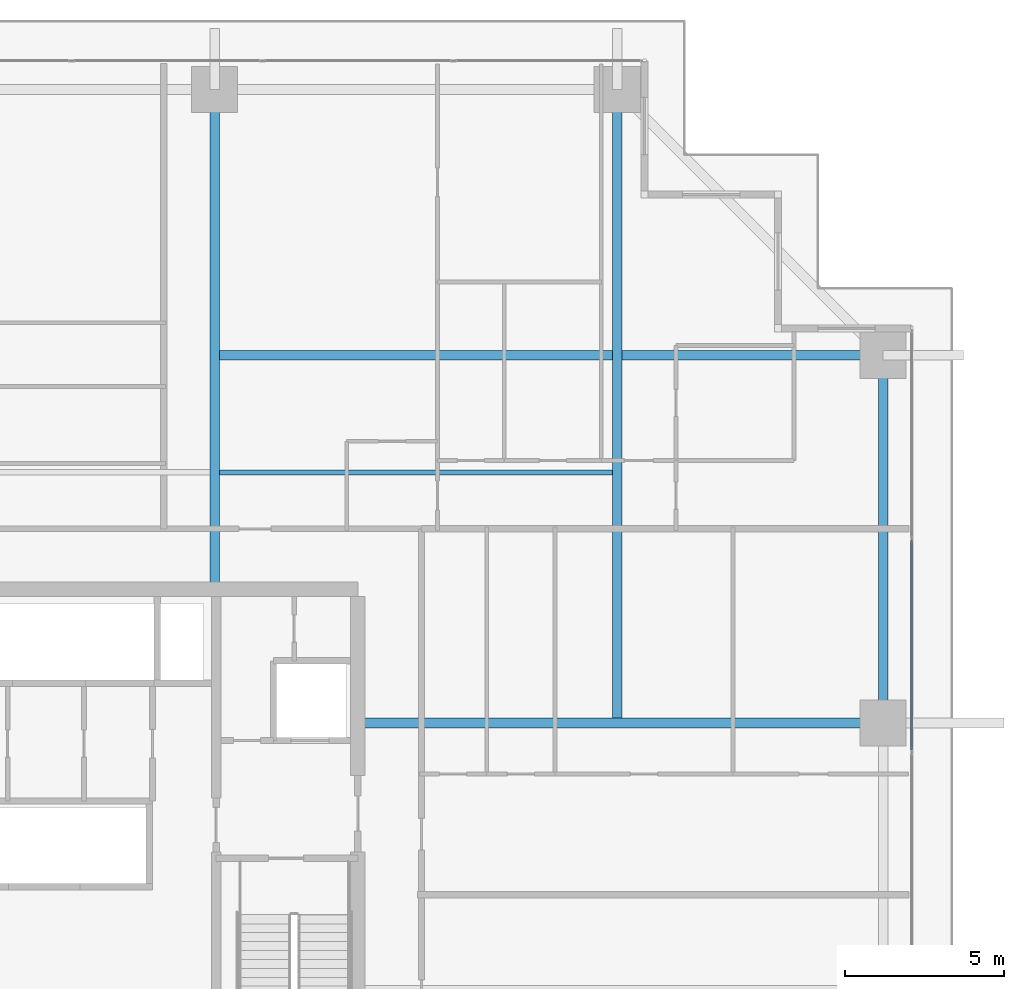
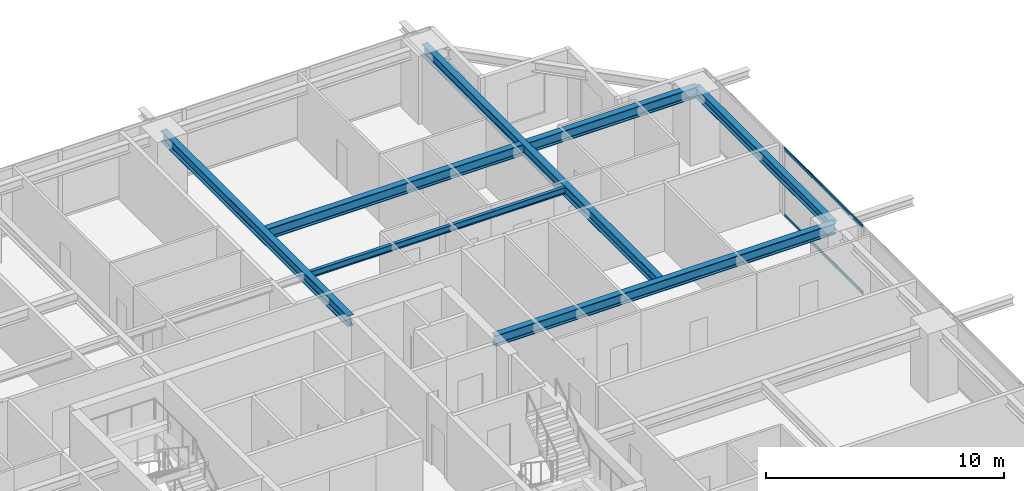
# One storey, part 21 of 39: 6 beams, 2 members, 1 element without a shape of its own.
"""IFC4 building model written with IfcOpenShell, lengths in metres."""

from ifc_helpers import new_model, si_unit, direction, frame, origin, origin_2d, place, context, subcontext, project, spatial, hollow_rectangle, i_section, extrude, source, transform, mapped, material, layer, layer_set, material_profile, profile_set, type_object, element, aggregate, save


model = new_model("IFC4")

# Units and contexts
model_context = context("Model", 3, precision=1e-05, world=origin(), true_north=direction((0.0, 1.0)))
body_context = subcontext(model_context, "Body", "Model", "MODEL_VIEW")
ifc_project = project(units=[si_unit("LENGTHUNIT", "METRE"), si_unit("AREAUNIT", "SQUARE_METRE"), si_unit("VOLUMEUNIT", "CUBIC_METRE"), si_unit("PLANEANGLEUNIT", "RADIAN"), si_unit("MASSUNIT", "GRAM", prefix="KILO")], contexts=[model_context])

# Site, building, storey
site_placement = place(None, origin())
site = spatial("IfcSite", under=ifc_project, at=site_placement, CompositionType="ELEMENT")
building_placement = place(site_placement, origin())
building = spatial("IfcBuilding", under=site, at=building_placement, Name="Serunith Strait Residences", CompositionType="ELEMENT")
storey_placement = place(building_placement, frame((0.0, 0.0, 60.449951171875)))
storey = spatial("IfcBuildingStorey", under=building, at=storey_placement, Name="L14", CompositionType="ELEMENT", Elevation=60.449951171875)

# Beams
ifc_material_1 = material(Name="Steel S355J2", Category="steel")
ifc_material_profile_1 = material_profile(ifc_material_1, i_section(OverallWidth=0.300048828125, OverallDepth=0.550048828125, WebThickness=0.014892578125, FlangeThickness=0.029052734375, FilletRadius=0.027099609375, at=origin_2d()), Name="HEB 550")
ifc_profile_set_1 = profile_set([ifc_material_profile_1], Name="Steel S355J2")
beam_type_1 = type_object("IfcBeamType", Name="BM-HEB550", PredefinedType="BEAM", material=ifc_profile_set_1)
shared_shape_1 = source(origin(), body_context, "Body", "SweptSolid", [
    extrude(i_section(OverallWidth=0.300048828125, OverallDepth=0.550048828125, WebThickness=0.014892578125, FlangeThickness=0.029052734375, FilletRadius=0.027099609375, at=origin_2d()), origin(), (0.0, 0.0, 1.0), 15.699951171875),
])
beam_1_placement = place(storey_placement, frame((36.89990234375, 33.60009765625, 3.212158203125), z_axis=(0.0, 1.0, 0.0), x_axis=(-1.0, 0.0, 0.0)))
element("IfcBeam", 1, at=beam_1_placement, inside=storey, type_object=beam_type_1, Name="L14 Primary Floor Girder TC-N3", PredefinedType="BEAM", context=body_context, shape_type="MappedRepresentation", body=[
    mapped(shared_shape_1, transform((0.0, 0.0, 0.0), scale=1.0)),
])
shared_shape_2 = source(origin(), body_context, "Body", "SweptSolid", [
    extrude(i_section(OverallWidth=0.300048828125, OverallDepth=0.550048828125, WebThickness=0.014892578125, FlangeThickness=0.029052734375, FilletRadius=0.027099609375, at=origin_2d()), origin(), (0.0, 0.0, 1.0), 16.5),
])
beam_2_placement = place(storey_placement, frame((41.39990234375, 29.39990234375, 3.212158203125), z_axis=(1.0, 0.0, 0.0), x_axis=(0.0, 1.0, 0.0)))
element("IfcBeam", 2, at=beam_2_placement, inside=storey, type_object=beam_type_1, Name="L14 Primary Floor Girder TC-E3", PredefinedType="BEAM", context=body_context, shape_type="MappedRepresentation", body=[
    mapped(shared_shape_2, transform((0.0, 0.0, 0.0), scale=1.0)),
])
shared_shape_3 = source(origin(), body_context, "Body", "SweptSolid", [
    extrude(i_section(OverallWidth=0.300048828125, OverallDepth=0.550048828125, WebThickness=0.014892578125, FlangeThickness=0.029052734375, FilletRadius=0.027099609375, at=origin_2d()), origin(), (0.0, 0.0, 1.0), 19.900146484375),
])
beam_3_placement = place(storey_placement, frame((49.550048828125, 29.39990234375, 3.212158203125), z_axis=(0.0, 1.0, 0.0), x_axis=(-1.0, 0.0, 0.0)))
element("IfcBeam", 3, at=beam_3_placement, inside=storey, type_object=beam_type_1, Name="L14 Orthogonal Corner Girder TC-N4", PredefinedType="BEAM", context=body_context, shape_type="MappedRepresentation", body=[
    mapped(shared_shape_3, transform((0.0, 0.0, 0.0), scale=1.0)),
])
shared_shape_4 = source(origin(), body_context, "Body", "SweptSolid", [
    extrude(i_section(OverallWidth=0.300048828125, OverallDepth=0.550048828125, WebThickness=0.014892578125, FlangeThickness=0.029052734375, FilletRadius=0.027099609375, at=origin_2d()), origin(), (0.0, 0.0, 1.0), 21.0),
])
beam_4_placement = place(storey_placement, frame((36.89990234375, 40.949951171875, 3.212158203125), z_axis=(1.0, 0.0, 0.0), x_axis=(0.0, 1.0, 0.0)))
element("IfcBeam", 4, at=beam_4_placement, inside=storey, type_object=beam_type_1, Name="L14 Orthogonal Corner Girder TC-E4", PredefinedType="BEAM", context=body_context, shape_type="MappedRepresentation", body=[
    mapped(shared_shape_4, transform((0.0, 0.0, 0.0), scale=1.0)),
])
ifc_material_profile_2 = material_profile(ifc_material_1, i_section(OverallWidth=0.300048828125, OverallDepth=0.5, WebThickness=0.014404296875, FlangeThickness=0.028076171875, FilletRadius=0.027099609375, at=origin_2d()), Name="HEB 500")
ifc_profile_set_2 = profile_set([ifc_material_profile_2], Name="Steel S355J2")
beam_type_2 = type_object("IfcBeamType", Name="BM-HEB500", PredefinedType="BEAM", material=ifc_profile_set_2)
shared_shape_5 = source(origin(), body_context, "Body", "SweptSolid", [
    extrude(i_section(OverallWidth=0.300048828125, OverallDepth=0.5, WebThickness=0.014404296875, FlangeThickness=0.028076171875, FilletRadius=0.027099609375, at=origin_2d()), origin(), (0.0, 0.0, 1.0), 11.550048828125),
])
beam_5_placement = place(storey_placement, frame((57.89990234375, 29.39990234375, 3.237060546875), z_axis=(0.0, 1.0, 0.0), x_axis=(-1.0, 0.0, 0.0)))
element("IfcBeam", 5, at=beam_5_placement, inside=storey, type_object=beam_type_2, Name="L14 Perimeter Ring Beam 07", PredefinedType="BEAM", context=body_context, shape_type="MappedRepresentation", body=[
    mapped(shared_shape_5, transform((0.0, 0.0, 0.0), scale=1.0)),
])
ifc_material_profile_3 = material_profile(ifc_material_1, i_section(OverallWidth=0.159912109375, OverallDepth=0.330078125, WebThickness=0.007568359375, FlangeThickness=0.011474609375, FilletRadius=0.01806640625, at=origin_2d()), Name="IPE 330")
ifc_profile_set_3 = profile_set([ifc_material_profile_3], Name="Steel S355J2")
beam_type_3 = type_object("IfcBeamType", Name="BM-IPE330", PredefinedType="JOIST", material=ifc_profile_set_3)
shared_shape_6 = source(origin(), body_context, "Body", "SweptSolid", [
    extrude(i_section(OverallWidth=0.159912109375, OverallDepth=0.330078125, WebThickness=0.007568359375, FlangeThickness=0.011474609375, FilletRadius=0.01806640625, at=origin_2d()), origin(), (0.0, 0.0, 1.0), 12.349853515625),
])
beam_6_placement = place(storey_placement, frame((37.050048828125, 37.27490234375, 3.322021484375), z_axis=(1.0, 0.0, 0.0), x_axis=(0.0, 1.0, 0.0)))
element("IfcBeam", 6, at=beam_6_placement, inside=storey, type_object=beam_type_3, Name="L14 Composite Floor Joist 06", PredefinedType="JOIST", context=body_context, shape_type="MappedRepresentation", body=[
    mapped(shared_shape_6, transform((0.0, 0.0, 0.0), scale=1.0)),
])

# Curtain wall, members
ifc_material_2 = material(Name="Pale-Champagne Anodised Aluminium", Category="aluminium")
ifc_layer = layer(ifc_material_2, 0.199951171875, Name="Pale-Champagne Anodised Aluminium")
ifc_layer_set = layer_set([ifc_layer], Name="Pale-Champagne Anodised Aluminium")
curtain_wall_type = type_object("IfcCurtainWallType", Name="CW-SYS1", PredefinedType="NOTDEFINED", material=ifc_layer_set)
curtain_wall_placement = place(storey_placement, origin())
curtain_wall = element("IfcCurtainWall", 7, at=curtain_wall_placement, inside=storey, type_object=curtain_wall_type, Name="L14 E Unitised Fritted Curtain Wall", PredefinedType="NOTDEFINED")
ifc_material_profile_4 = material_profile(ifc_material_2, hollow_rectangle(XDim=0.06005859375, YDim=0.159912109375, WallThickness=0.00341796875, InnerFilletRadius=0.00537109375, OuterFilletRadius=0.0087890625, at=origin_2d()), Name="ALU 160x60x3.5")
ifc_profile_set_4 = profile_set([ifc_material_profile_4], Name="Pale-Champagne Anodised Aluminium")
member_type = type_object("IfcMemberType", Name="CW-SYS1-TRAN", PredefinedType="USERDEFINED", material=ifc_profile_set_4)
shared_shape_7 = source(origin(), body_context, "Body", "SweptSolid", [
    extrude(hollow_rectangle(XDim=0.06005859375, YDim=0.159912109375, WallThickness=0.00341796875, InnerFilletRadius=0.00537109375, OuterFilletRadius=0.0087890625, at=origin_2d()), origin(), (0.0, 0.0, 1.0), 6.570068359375),
])
member_1_placement = place(storey_placement, frame((58.800048828125, 28.554931640625, 0.030029296875), z_axis=(0.0, 1.0, 0.0), x_axis=(-1.0, 0.0, 0.0)))
member_1 = element("IfcMember", 8, at=member_1_placement, type_object=member_type, Name="CW-1 transom 4.1", ObjectType="TRANSOM", PredefinedType="USERDEFINED", context=body_context, shape_type="MappedRepresentation", body=[
    mapped(shared_shape_7, transform((0.0, 0.0, 0.0), scale=1.0)),
])
member_2_placement = place(storey_placement, frame((58.800048828125, 28.554931640625, 3.445068359375), z_axis=(0.0, 1.0, 0.0), x_axis=(-1.0, 0.0, 0.0)))
member_2 = element("IfcMember", 9, at=member_2_placement, type_object=member_type, Name="CW-1 transom 4.2", ObjectType="TRANSOM", PredefinedType="USERDEFINED", context=body_context, shape_type="MappedRepresentation", body=[
    mapped(shared_shape_7, transform((0.0, 0.0, 0.0), scale=1.0)),
])
aggregate(curtain_wall, [member_1, member_2])

save(model, "model.ifc")
